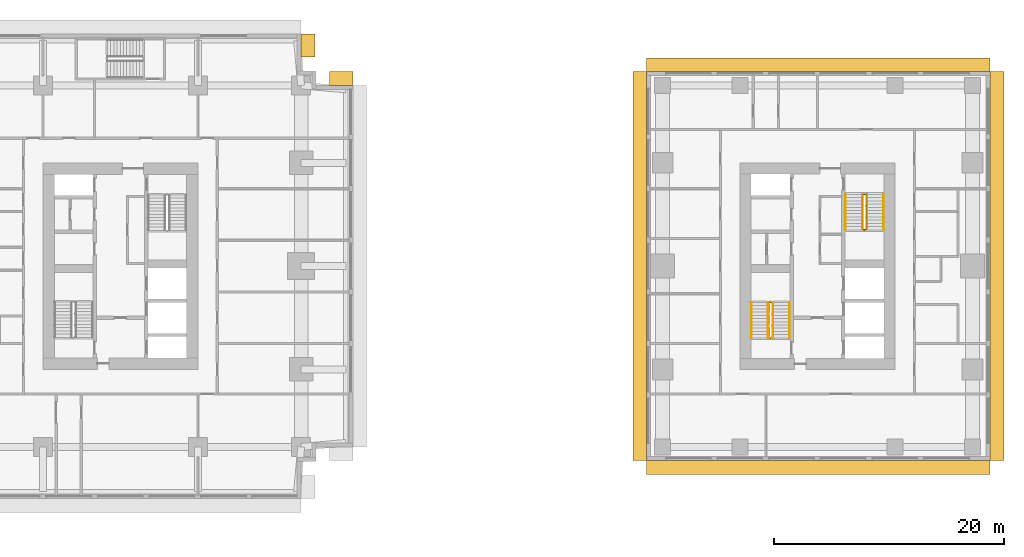
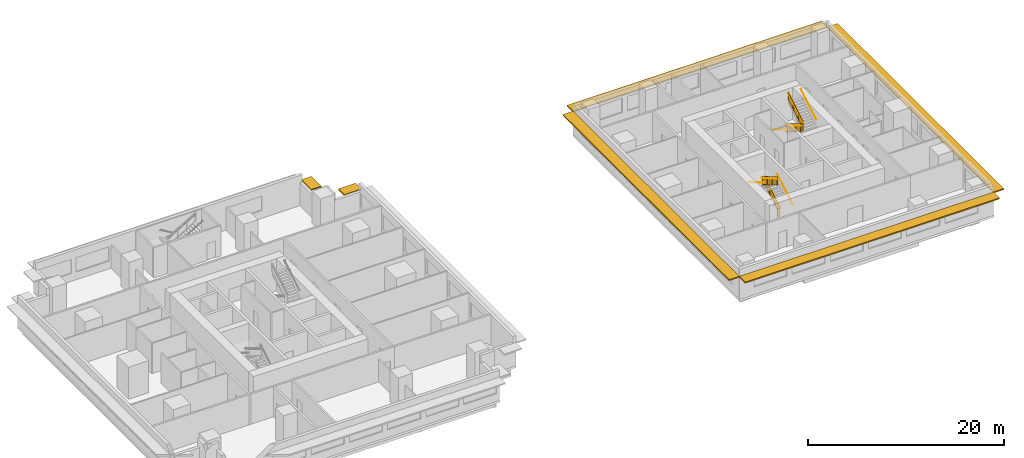
# One storey, part 11 of 11: 10 railings, 6 shading devices.
"""IFC4 building model written with IfcOpenShell, lengths in metres."""

from ifc_helpers import new_model, si_unit, direction, frame, origin, origin_2d, place, context, subcontext, project, spatial, polyline, rectangle, circle, outline, extrude, material, layer, layer_set, type_object, element, save


model = new_model("IFC4")

# Units and contexts
model_context = context("Model", 3, precision=1e-05, world=origin(), true_north=direction((0.0, 1.0)))
body_context = subcontext(model_context, "Body", "Model", "MODEL_VIEW")
ifc_project = project(units=[si_unit("LENGTHUNIT", "METRE"), si_unit("AREAUNIT", "SQUARE_METRE"), si_unit("VOLUMEUNIT", "CUBIC_METRE"), si_unit("PLANEANGLEUNIT", "RADIAN"), si_unit("MASSUNIT", "GRAM", prefix="KILO")], contexts=[model_context])

# Site, building, storey
site_placement = place(None, origin())
site = spatial("IfcSite", under=ifc_project, at=site_placement, CompositionType="ELEMENT")
building_placement = place(site_placement, origin())
building = spatial("IfcBuilding", under=site, at=building_placement, Name="Namib Vertical Campus", CompositionType="ELEMENT")
storey_placement = place(building_placement, frame((0.0, 0.0, 177.0)))
storey = spatial("IfcBuildingStorey", under=building, at=storey_placement, Name="L41", CompositionType="ELEMENT", Elevation=177.0)

# Railings
ifc_material_1 = material(Name="Steel handrail", Category="steel")
railing_type_1 = type_object("IfcRailingType", Name="Handrail 900", PredefinedType="HANDRAIL", material=ifc_material_1)
railing_1_placement = place(storey_placement, frame((78.550048828125, 14.0, 0.166748046875)))
element("IfcRailing", 1, at=railing_1_placement, inside=storey, type_object=railing_type_1, Name="Handrail HR1 B-S1 L41 1", PredefinedType="HANDRAIL", context=body_context, shape_type="SweptSolid", body=[
    extrude(circle(Radius=0.02392578125, at=origin_2d()), frame((0.0, 0.0, 0.8759765625), z_axis=(0.0, 0.859308565015, 0.511457515432), x_axis=(-1.0, 0.0, 0.0)), (0.0, 0.0, 1.0), 3.58447265625),
    extrude(circle(Radius=0.008056640625, at=origin_2d()), frame((0.0, 0.0, 0.8759765625), z_axis=(1.0, 0.0, 0.0), x_axis=(0.0, 0.0, 1.0)), (0.0, 0.0, 1.0), 0.050048828125),
    extrude(circle(Radius=0.008056640625, at=origin_2d()), frame((0.0, 1.026611328125, 1.48681640625), z_axis=(1.0, 0.0, 0.0), x_axis=(0.0, 0.0, 1.0)), (0.0, 0.0, 1.0), 0.050048828125),
    extrude(circle(Radius=0.008056640625, at=origin_2d()), frame((0.0, 2.053466796875, 2.09814453125), z_axis=(1.0, 0.0, 0.0), x_axis=(0.0, 0.0, 1.0)), (0.0, 0.0, 1.0), 0.050048828125),
    extrude(circle(Radius=0.008056640625, at=origin_2d()), frame((0.0, 3.080078125, 2.708984375), z_axis=(1.0, 0.0, 0.0), x_axis=(0.0, 0.0, 1.0)), (0.0, 0.0, 1.0), 0.050048828125),
])
railing_2_placement = place(storey_placement, frame((75.25, 17.080078125, 2.166748046875)))
element("IfcRailing", 2, at=railing_2_placement, inside=storey, type_object=railing_type_1, Name="Handrail HR1 B-S1 L41 2", PredefinedType="HANDRAIL", context=body_context, shape_type="SweptSolid", body=[
    extrude(circle(Radius=0.02392578125, at=origin_2d()), frame((0.0, 0.0, 0.8759765625), z_axis=(0.0, -0.859308565015, 0.511457515432), x_axis=(1.0, 0.0, 0.0)), (0.0, 0.0, 1.0), 3.58447265625),
    extrude(circle(Radius=0.008056640625, at=origin_2d()), frame((0.0, 0.0, 0.8759765625), z_axis=(-1.0, 0.0, 0.0), x_axis=(0.0, 0.0, 1.0)), (0.0, 0.0, 1.0), 0.050048828125),
    extrude(circle(Radius=0.008056640625, at=origin_2d()), frame((0.0, -1.026611328125, 1.48681640625), z_axis=(-1.0, 0.0, 0.0), x_axis=(0.0, 0.0, 1.0)), (0.0, 0.0, 1.0), 0.050048828125),
    extrude(circle(Radius=0.008056640625, at=origin_2d()), frame((0.0, -2.053466796875, 2.09814453125), z_axis=(-1.0, 0.0, 0.0), x_axis=(0.0, 0.0, 1.0)), (0.0, 0.0, 1.0), 0.050048828125),
    extrude(circle(Radius=0.008056640625, at=origin_2d()), frame((0.0, -3.080078125, 2.708984375), z_axis=(-1.0, 0.0, 0.0), x_axis=(0.0, 0.0, 1.0)), (0.0, 0.0, 1.0), 0.050048828125),
])
railing_3_placement = place(storey_placement, frame((77.10009765625, 14.0, 0.166748046875)))
element("IfcRailing", 3, at=railing_3_placement, inside=storey, type_object=railing_type_1, Name="Handrail HR1 B-S1 L41 1 at the well", PredefinedType="HANDRAIL", context=body_context, shape_type="SweptSolid", body=[
    extrude(circle(Radius=0.02392578125, at=origin_2d()), frame((0.0, 0.0, 0.8759765625), z_axis=(0.0, 0.859308565015, 0.511457515432), x_axis=(-1.0, 0.0, 0.0)), (0.0, 0.0, 1.0), 3.58447265625),
    extrude(circle(Radius=0.008056640625, at=origin_2d()), frame((0.0, 0.0, 0.8759765625), z_axis=(-1.0, 0.0, 0.0), x_axis=(0.0, 0.0, 1.0)), (0.0, 0.0, 1.0), 0.0400390625),
    extrude(circle(Radius=0.008056640625, at=origin_2d()), frame((0.0, 1.026611328125, 1.48681640625), z_axis=(-1.0, 0.0, 0.0), x_axis=(0.0, 0.0, 1.0)), (0.0, 0.0, 1.0), 0.0400390625),
    extrude(circle(Radius=0.008056640625, at=origin_2d()), frame((0.0, 2.053466796875, 2.09814453125), z_axis=(-1.0, 0.0, 0.0), x_axis=(0.0, 0.0, 1.0)), (0.0, 0.0, 1.0), 0.0400390625),
    extrude(circle(Radius=0.008056640625, at=origin_2d()), frame((0.0, 3.080078125, 2.708984375), z_axis=(-1.0, 0.0, 0.0), x_axis=(0.0, 0.0, 1.0)), (0.0, 0.0, 1.0), 0.0400390625),
])
railing_4_placement = place(storey_placement, frame((76.699951171875, 17.080078125, 2.166748046875)))
element("IfcRailing", 4, at=railing_4_placement, inside=storey, type_object=railing_type_1, Name="Handrail HR1 B-S1 L41 2 at the well", PredefinedType="HANDRAIL", context=body_context, shape_type="SweptSolid", body=[
    extrude(circle(Radius=0.02392578125, at=origin_2d()), frame((0.0, 0.0, 0.8759765625), z_axis=(0.0, -0.859308565015, 0.511457515432), x_axis=(1.0, 0.0, 0.0)), (0.0, 0.0, 1.0), 3.58447265625),
    extrude(circle(Radius=0.008056640625, at=origin_2d()), frame((0.0, 0.0, 0.8759765625), z_axis=(1.0, 0.0, 0.0), x_axis=(0.0, 0.0, 1.0)), (0.0, 0.0, 1.0), 0.0400390625),
    extrude(circle(Radius=0.008056640625, at=origin_2d()), frame((0.0, -1.026611328125, 1.48681640625), z_axis=(1.0, 0.0, 0.0), x_axis=(0.0, 0.0, 1.0)), (0.0, 0.0, 1.0), 0.0400390625),
    extrude(circle(Radius=0.008056640625, at=origin_2d()), frame((0.0, -2.053466796875, 2.09814453125), z_axis=(1.0, 0.0, 0.0), x_axis=(0.0, 0.0, 1.0)), (0.0, 0.0, 1.0), 0.0400390625),
    extrude(circle(Radius=0.008056640625, at=origin_2d()), frame((0.0, -3.080078125, 2.708984375), z_axis=(1.0, 0.0, 0.0), x_axis=(0.0, 0.0, 1.0)), (0.0, 0.0, 1.0), 0.0400390625),
])
railing_5_placement = place(storey_placement, frame((83.449951171875, 26.5, 0.166748046875)))
element("IfcRailing", 5, at=railing_5_placement, inside=storey, type_object=railing_type_1, Name="Handrail HR1 B-S2 L41 1", PredefinedType="HANDRAIL", context=body_context, shape_type="SweptSolid", body=[
    extrude(circle(Radius=0.02392578125, at=origin_2d()), frame((0.0, 0.0, 0.8759765625), z_axis=(0.0, -0.859308565015, 0.511457515432), x_axis=(1.0, 0.0, 0.0)), (0.0, 0.0, 1.0), 3.58447265625),
    extrude(circle(Radius=0.008056640625, at=origin_2d()), frame((0.0, 0.0, 0.8759765625), z_axis=(-1.0, 0.0, 0.0), x_axis=(0.0, 0.0, 1.0)), (0.0, 0.0, 1.0), 0.050048828125),
    extrude(circle(Radius=0.008056640625, at=origin_2d()), frame((0.0, -1.026611328125, 1.48681640625), z_axis=(-1.0, 0.0, 0.0), x_axis=(0.0, 0.0, 1.0)), (0.0, 0.0, 1.0), 0.050048828125),
    extrude(circle(Radius=0.008056640625, at=origin_2d()), frame((0.0, -2.053466796875, 2.09814453125), z_axis=(-1.0, 0.0, 0.0), x_axis=(0.0, 0.0, 1.0)), (0.0, 0.0, 1.0), 0.050048828125),
    extrude(circle(Radius=0.008056640625, at=origin_2d()), frame((0.0, -3.080078125, 2.708984375), z_axis=(-1.0, 0.0, 0.0), x_axis=(0.0, 0.0, 1.0)), (0.0, 0.0, 1.0), 0.050048828125),
])
railing_6_placement = place(storey_placement, frame((86.75, 23.419921875, 2.166748046875)))
element("IfcRailing", 6, at=railing_6_placement, inside=storey, type_object=railing_type_1, Name="Handrail HR1 B-S2 L41 2", PredefinedType="HANDRAIL", context=body_context, shape_type="SweptSolid", body=[
    extrude(circle(Radius=0.02392578125, at=origin_2d()), frame((0.0, 0.0, 0.8759765625), z_axis=(0.0, 0.859308565015, 0.511457515432), x_axis=(-1.0, 0.0, 0.0)), (0.0, 0.0, 1.0), 3.58447265625),
    extrude(circle(Radius=0.008056640625, at=origin_2d()), frame((0.0, 0.0, 0.8759765625), z_axis=(1.0, 0.0, 0.0), x_axis=(0.0, 0.0, 1.0)), (0.0, 0.0, 1.0), 0.050048828125),
    extrude(circle(Radius=0.008056640625, at=origin_2d()), frame((0.0, 1.026611328125, 1.48681640625), z_axis=(1.0, 0.0, 0.0), x_axis=(0.0, 0.0, 1.0)), (0.0, 0.0, 1.0), 0.050048828125),
    extrude(circle(Radius=0.008056640625, at=origin_2d()), frame((0.0, 2.053466796875, 2.09814453125), z_axis=(1.0, 0.0, 0.0), x_axis=(0.0, 0.0, 1.0)), (0.0, 0.0, 1.0), 0.050048828125),
    extrude(circle(Radius=0.008056640625, at=origin_2d()), frame((0.0, 3.080078125, 2.708984375), z_axis=(1.0, 0.0, 0.0), x_axis=(0.0, 0.0, 1.0)), (0.0, 0.0, 1.0), 0.050048828125),
])
railing_7_placement = place(storey_placement, frame((84.89990234375, 26.5, 0.166748046875)))
element("IfcRailing", 7, at=railing_7_placement, inside=storey, type_object=railing_type_1, Name="Handrail HR1 B-S2 L41 1 at the well", PredefinedType="HANDRAIL", context=body_context, shape_type="SweptSolid", body=[
    extrude(circle(Radius=0.02392578125, at=origin_2d()), frame((0.0, 0.0, 0.8759765625), z_axis=(0.0, -0.859308565015, 0.511457515432), x_axis=(1.0, 0.0, 0.0)), (0.0, 0.0, 1.0), 3.58447265625),
    extrude(circle(Radius=0.008056640625, at=origin_2d()), frame((0.0, 0.0, 0.8759765625), z_axis=(1.0, 0.0, 0.0), x_axis=(0.0, 0.0, 1.0)), (0.0, 0.0, 1.0), 0.0400390625),
    extrude(circle(Radius=0.008056640625, at=origin_2d()), frame((0.0, -1.026611328125, 1.48681640625), z_axis=(1.0, 0.0, 0.0), x_axis=(0.0, 0.0, 1.0)), (0.0, 0.0, 1.0), 0.0400390625),
    extrude(circle(Radius=0.008056640625, at=origin_2d()), frame((0.0, -2.053466796875, 2.09814453125), z_axis=(1.0, 0.0, 0.0), x_axis=(0.0, 0.0, 1.0)), (0.0, 0.0, 1.0), 0.0400390625),
    extrude(circle(Radius=0.008056640625, at=origin_2d()), frame((0.0, -3.080078125, 2.708984375), z_axis=(1.0, 0.0, 0.0), x_axis=(0.0, 0.0, 1.0)), (0.0, 0.0, 1.0), 0.0400390625),
])
railing_8_placement = place(storey_placement, frame((85.300048828125, 23.419921875, 2.166748046875)))
element("IfcRailing", 8, at=railing_8_placement, inside=storey, type_object=railing_type_1, Name="Handrail HR1 B-S2 L41 2 at the well", PredefinedType="HANDRAIL", context=body_context, shape_type="SweptSolid", body=[
    extrude(circle(Radius=0.02392578125, at=origin_2d()), frame((0.0, 0.0, 0.8759765625), z_axis=(0.0, 0.859308565015, 0.511457515432), x_axis=(-1.0, 0.0, 0.0)), (0.0, 0.0, 1.0), 3.58447265625),
    extrude(circle(Radius=0.008056640625, at=origin_2d()), frame((0.0, 0.0, 0.8759765625), z_axis=(-1.0, 0.0, 0.0), x_axis=(0.0, 0.0, 1.0)), (0.0, 0.0, 1.0), 0.0400390625),
    extrude(circle(Radius=0.008056640625, at=origin_2d()), frame((0.0, 1.026611328125, 1.48681640625), z_axis=(-1.0, 0.0, 0.0), x_axis=(0.0, 0.0, 1.0)), (0.0, 0.0, 1.0), 0.0400390625),
    extrude(circle(Radius=0.008056640625, at=origin_2d()), frame((0.0, 2.053466796875, 2.09814453125), z_axis=(-1.0, 0.0, 0.0), x_axis=(0.0, 0.0, 1.0)), (0.0, 0.0, 1.0), 0.0400390625),
    extrude(circle(Radius=0.008056640625, at=origin_2d()), frame((0.0, 3.080078125, 2.708984375), z_axis=(-1.0, 0.0, 0.0), x_axis=(0.0, 0.0, 1.0)), (0.0, 0.0, 1.0), 0.0400390625),
])
ifc_material_2 = material(Name="Steel balustrade", Category="steel")
railing_type_2 = type_object("IfcRailingType", Name="Stair guard 1100", PredefinedType="GUARDRAIL", material=ifc_material_2)
railing_9_placement = place(storey_placement, frame((76.75, 14.0, 0.0)))
element("IfcRailing", 9, at=railing_9_placement, inside=storey, type_object=railing_type_2, Name="Stair guard GR1 B-S1 L41", PredefinedType="GUARDRAIL", context=body_context, shape_type="SweptSolid", body=[
    extrude(circle(Radius=0.02392578125, at=origin_2d()), frame((0.0, 0.0, 1.076171875), z_axis=(1.0, 0.0, 0.0), x_axis=(0.0, 1.0, 0.0)), (0.0, 0.0, 1.0), 0.300048828125),
    extrude(outline(polyline([(0.02099609375, 0.050048828125), (0.279052734375, 0.050048828125), (0.279052734375, 1.052001953125), (0.02099609375, 1.052001953125), (0.02099609375, 0.050048828125)])), frame((0.0, 0.010009765625, 0.0), z_axis=(0.0, -1.0, 0.0), x_axis=(1.0, 0.0, 0.0)), (0.0, 0.0, 1.0), 0.02001953125),
    extrude(circle(Radius=0.02392578125, at=origin_2d()), frame((0.300048828125, 0.0, 1.076171875), z_axis=(0.0, 0.0, 1.0), x_axis=(1.0, 0.0, 0.0)), (0.0, 0.0, 1.0), 0.166748046875),
    extrude(circle(Radius=0.02392578125, at=origin_2d()), frame((0.300048828125, 0.0, 1.24267578125), z_axis=(0.0, 0.859308565015, 0.511457515432), x_axis=(-1.0, 0.0, 0.0)), (0.0, 0.0, 1.0), 3.58447265625),
    extrude(outline(polyline([(0.02099609375, 0.0625), (3.05908203125, 1.870849609375), (3.05908203125, 2.872802734375), (0.02099609375, 1.064453125), (0.02099609375, 0.0625)])), frame((0.2900390625, 0.0, 0.166748046875), z_axis=(1.0, 0.0, 0.0), x_axis=(0.0, 1.0, 0.0)), (0.0, 0.0, 1.0), 0.02001953125),
    extrude(circle(Radius=0.02392578125, at=origin_2d()), frame((0.300048828125, 3.080078125, 3.076171875), z_axis=(-1.0, 0.0, 0.0), x_axis=(0.0, -1.0, 0.0)), (0.0, 0.0, 1.0), 0.300048828125),
    extrude(outline(polyline([(0.02099609375, 0.050048828125), (0.279052734375, 0.050048828125), (0.279052734375, 1.052001953125), (0.02099609375, 1.052001953125), (0.02099609375, 0.050048828125)])), frame((0.300048828125, 3.070068359375, 2.0), z_axis=(0.0, 1.0, 0.0), x_axis=(-1.0, 0.0, 0.0)), (0.0, 0.0, 1.0), 0.02001953125),
    extrude(circle(Radius=0.02392578125, at=origin_2d()), frame((0.0, 3.080078125, 3.076171875), z_axis=(0.0, 0.0, 1.0), x_axis=(1.0, 0.0, 0.0)), (0.0, 0.0, 1.0), 0.166748046875),
    extrude(circle(Radius=0.02392578125, at=origin_2d()), frame((0.0, 3.080078125, 3.24267578125), z_axis=(0.0, -0.859308565015, 0.511457515432), x_axis=(1.0, 0.0, 0.0)), (0.0, 0.0, 1.0), 3.58447265625),
    extrude(outline(polyline([(0.02099609375, 0.0625), (3.05908203125, 1.870849609375), (3.05908203125, 2.872802734375), (0.02099609375, 1.064453125), (0.02099609375, 0.0625)])), frame((0.010009765625, 3.080078125, 2.166748046875), z_axis=(-1.0, 0.0, 0.0), x_axis=(0.0, -1.0, 0.0)), (0.0, 0.0, 1.0), 0.02001953125),
    extrude(circle(Radius=0.02392578125, at=origin_2d()), frame((0.0, 0.0, 5.076171875), z_axis=(0.0, -1.0, 0.0), x_axis=(1.0, 0.0, 0.0)), (0.0, 0.0, 1.0), 0.050048828125),
    extrude(outline(polyline([(0.02099609375, 0.050048828125), (0.029052734375, 0.050048828125), (0.029052734375, 1.052001953125), (0.02099609375, 1.052001953125), (0.02099609375, 0.050048828125)])), frame((0.010009765625, 0.0, 4.0), z_axis=(-1.0, 0.0, 0.0), x_axis=(0.0, -1.0, 0.0)), (0.0, 0.0, 1.0), 0.02001953125),
    extrude(circle(Radius=0.02099609375, at=origin_2d()), origin(), (0.0, 0.0, 1.0), 1.052001953125),
    extrude(circle(Radius=0.02099609375, at=origin_2d()), frame((0.300048828125, 0.0, 0.166748046875)), (0.0, 0.0, 1.0), 1.052001953125),
    extrude(circle(Radius=0.02099609375, at=origin_2d()), frame((0.300048828125, 1.026611328125, 0.666748046875)), (0.0, 0.0, 1.0), 1.1630859375),
    extrude(circle(Radius=0.02099609375, at=origin_2d()), frame((0.300048828125, 2.053466796875, 1.33349609375)), (0.0, 0.0, 1.0), 1.107421875),
    extrude(circle(Radius=0.02099609375, at=origin_2d()), frame((0.300048828125, 3.080078125, 2.0)), (0.0, 0.0, 1.0), 1.052001953125),
    extrude(circle(Radius=0.02099609375, at=origin_2d()), frame((0.0, 3.080078125, 2.166748046875)), (0.0, 0.0, 1.0), 1.052001953125),
    extrude(circle(Radius=0.02099609375, at=origin_2d()), frame((0.0, 2.053466796875, 2.666748046875)), (0.0, 0.0, 1.0), 1.1630859375),
    extrude(circle(Radius=0.02099609375, at=origin_2d()), frame((0.0, 1.026611328125, 3.33349609375)), (0.0, 0.0, 1.0), 1.107421875),
    extrude(circle(Radius=0.02099609375, at=origin_2d()), frame((0.0, 0.0, 4.0)), (0.0, 0.0, 1.0), 1.052001953125),
    extrude(circle(Radius=0.02099609375, at=origin_2d()), frame((0.0, -0.050048828125, 4.0)), (0.0, 0.0, 1.0), 1.052001953125),
])
railing_10_placement = place(storey_placement, frame((85.25, 26.5, 0.0)))
element("IfcRailing", 10, at=railing_10_placement, inside=storey, type_object=railing_type_2, Name="Stair guard GR1 B-S2 L41", PredefinedType="GUARDRAIL", context=body_context, shape_type="SweptSolid", body=[
    extrude(circle(Radius=0.02392578125, at=origin_2d()), frame((0.0, 0.0, 1.076171875), z_axis=(-1.0, 0.0, 0.0), x_axis=(0.0, -1.0, 0.0)), (0.0, 0.0, 1.0), 0.300048828125),
    extrude(outline(polyline([(0.02099609375, 0.050048828125), (0.279052734375, 0.050048828125), (0.279052734375, 1.052001953125), (0.02099609375, 1.052001953125), (0.02099609375, 0.050048828125)])), frame((0.0, -0.010009765625, 0.0), z_axis=(0.0, 1.0, 0.0), x_axis=(-1.0, 0.0, 0.0)), (0.0, 0.0, 1.0), 0.02001953125),
    extrude(circle(Radius=0.02392578125, at=origin_2d()), frame((-0.300048828125, 0.0, 1.076171875), z_axis=(0.0, 0.0, 1.0), x_axis=(1.0, 0.0, 0.0)), (0.0, 0.0, 1.0), 0.166748046875),
    extrude(circle(Radius=0.02392578125, at=origin_2d()), frame((-0.300048828125, 0.0, 1.24267578125), z_axis=(0.0, -0.859308565015, 0.511457515432), x_axis=(1.0, 0.0, 0.0)), (0.0, 0.0, 1.0), 3.58447265625),
    extrude(outline(polyline([(0.02099609375, 0.0625), (3.05908203125, 1.870849609375), (3.05908203125, 2.872802734375), (0.02099609375, 1.064453125), (0.02099609375, 0.0625)])), frame((-0.2900390625, 0.0, 0.166748046875), z_axis=(-1.0, 0.0, 0.0), x_axis=(0.0, -1.0, 0.0)), (0.0, 0.0, 1.0), 0.02001953125),
    extrude(circle(Radius=0.02392578125, at=origin_2d()), frame((-0.300048828125, -3.080078125, 3.076171875), z_axis=(1.0, 0.0, 0.0), x_axis=(0.0, 1.0, 0.0)), (0.0, 0.0, 1.0), 0.300048828125),
    extrude(outline(polyline([(0.02099609375, 0.050048828125), (0.279052734375, 0.050048828125), (0.279052734375, 1.052001953125), (0.02099609375, 1.052001953125), (0.02099609375, 0.050048828125)])), frame((-0.300048828125, -3.070068359375, 2.0), z_axis=(0.0, -1.0, 0.0), x_axis=(1.0, 0.0, 0.0)), (0.0, 0.0, 1.0), 0.02001953125),
    extrude(circle(Radius=0.02392578125, at=origin_2d()), frame((0.0, -3.080078125, 3.076171875), z_axis=(0.0, 0.0, 1.0), x_axis=(1.0, 0.0, 0.0)), (0.0, 0.0, 1.0), 0.166748046875),
    extrude(circle(Radius=0.02392578125, at=origin_2d()), frame((0.0, -3.080078125, 3.24267578125), z_axis=(0.0, 0.859308565015, 0.511457515432), x_axis=(-1.0, 0.0, 0.0)), (0.0, 0.0, 1.0), 3.58447265625),
    extrude(outline(polyline([(0.02099609375, 0.0625), (3.05908203125, 1.870849609375), (3.05908203125, 2.872802734375), (0.02099609375, 1.064453125), (0.02099609375, 0.0625)])), frame((-0.010009765625, -3.080078125, 2.166748046875), z_axis=(1.0, 0.0, 0.0), x_axis=(0.0, 1.0, 0.0)), (0.0, 0.0, 1.0), 0.02001953125),
    extrude(circle(Radius=0.02392578125, at=origin_2d()), frame((0.0, 0.0, 5.076171875), z_axis=(0.0, 1.0, 0.0), x_axis=(-1.0, 0.0, 0.0)), (0.0, 0.0, 1.0), 0.050048828125),
    extrude(outline(polyline([(0.02099609375, 0.050048828125), (0.029052734375, 0.050048828125), (0.029052734375, 1.052001953125), (0.02099609375, 1.052001953125), (0.02099609375, 0.050048828125)])), frame((-0.010009765625, 0.0, 4.0), z_axis=(1.0, 0.0, 0.0), x_axis=(0.0, 1.0, 0.0)), (0.0, 0.0, 1.0), 0.02001953125),
    extrude(circle(Radius=0.02099609375, at=origin_2d()), origin(), (0.0, 0.0, 1.0), 1.052001953125),
    extrude(circle(Radius=0.02099609375, at=origin_2d()), frame((-0.300048828125, 0.0, 0.166748046875)), (0.0, 0.0, 1.0), 1.052001953125),
    extrude(circle(Radius=0.02099609375, at=origin_2d()), frame((-0.300048828125, -1.026611328125, 0.666748046875)), (0.0, 0.0, 1.0), 1.1630859375),
    extrude(circle(Radius=0.02099609375, at=origin_2d()), frame((-0.300048828125, -2.053466796875, 1.33349609375)), (0.0, 0.0, 1.0), 1.107421875),
    extrude(circle(Radius=0.02099609375, at=origin_2d()), frame((-0.300048828125, -3.080078125, 2.0)), (0.0, 0.0, 1.0), 1.052001953125),
    extrude(circle(Radius=0.02099609375, at=origin_2d()), frame((0.0, -3.080078125, 2.166748046875)), (0.0, 0.0, 1.0), 1.052001953125),
    extrude(circle(Radius=0.02099609375, at=origin_2d()), frame((0.0, -2.053466796875, 2.666748046875)), (0.0, 0.0, 1.0), 1.1630859375),
    extrude(circle(Radius=0.02099609375, at=origin_2d()), frame((0.0, -1.026611328125, 3.33349609375)), (0.0, 0.0, 1.0), 1.107421875),
    extrude(circle(Radius=0.02099609375, at=origin_2d()), frame((0.0, 0.0, 4.0)), (0.0, 0.0, 1.0), 1.052001953125),
    extrude(circle(Radius=0.02099609375, at=origin_2d()), frame((0.0, 0.050048828125, 4.0)), (0.0, 0.0, 1.0), 1.052001953125),
])

# Shading devices
ifc_material_3 = material(Name="Concrete C40/50 precast", Category="concrete")
ifc_layer = layer(ifc_material_3, 0.14990234375)
ifc_layer_set = layer_set([ifc_layer], Name="Concrete C40/50 precast")
shading_device_type = type_object("IfcShadingDeviceType", Name="Sunshade hood 1200", PredefinedType="SHUTTER", material=ifc_layer_set)
for number, where, z_axis, x_axis, name in (
    (11, (39.487548828125, 36.60009765625, 2.75), (0.0, 0.0, 1.0), (-1.0, 0.0, 0.0), "Sunshade SH2 L41 7"),
    (12, (36.60009765625, 39.487548828125, 2.75), (0.0, 0.0, 1.0), (0.0, 1.0, 0.0), "Sunshade SH2 L41 10"),
):
    element("IfcShadingDevice", number, at=place(storey_placement, frame(where, z_axis=z_axis, x_axis=x_axis)), inside=storey, type_object=shading_device_type, Name=name, PredefinedType="SHUTTER", context=body_context, shape_type="SweptSolid", body=[
        extrude(rectangle(XDim=2.02490234375, YDim=1.199951171875, at=origin_2d()), origin(), (0.0, 0.0, 1.0), 0.14990234375),
    ])
shading_device_1_placement = place(storey_placement, frame((81.074951171875, 2.699951171875, 2.75), z_axis=(0.0, 0.0, 1.0), x_axis=(1.0, 0.0, 0.0)))
element("IfcShadingDevice", 13, at=shading_device_1_placement, inside=storey, type_object=shading_device_type, Name="Sunshade SH2 L41 1", PredefinedType="SHUTTER", context=body_context, shape_type="SweptSolid", body=[
    extrude(rectangle(XDim=29.949951171875, YDim=1.199951171875, at=origin_2d()), origin(), (0.0, 0.0, 1.0), 0.14990234375),
])
shading_device_2_placement = place(storey_placement, frame((96.64990234375, 20.25, 2.75), z_axis=(0.0, 0.0, 1.0), x_axis=(0.0, 1.0, 0.0)))
element("IfcShadingDevice", 14, at=shading_device_2_placement, inside=storey, type_object=shading_device_type, Name="Sunshade SH2 L41 2", PredefinedType="SHUTTER", context=body_context, shape_type="SweptSolid", body=[
    extrude(rectangle(XDim=33.89990234375, YDim=1.199951171875, at=origin_2d()), origin(), (0.0, 0.0, 1.0), 0.14990234375),
])
shading_device_3_placement = place(storey_placement, frame((81.074951171875, 37.800048828125, 2.75), z_axis=(0.0, 0.0, 1.0), x_axis=(-1.0, 0.0, 0.0)))
element("IfcShadingDevice", 15, at=shading_device_3_placement, inside=storey, type_object=shading_device_type, Name="Sunshade SH2 L41 3", PredefinedType="SHUTTER", context=body_context, shape_type="SweptSolid", body=[
    extrude(rectangle(XDim=29.949951171875, YDim=1.199951171875, at=origin_2d()), origin(), (0.0, 0.0, 1.0), 0.14990234375),
])
shading_device_4_placement = place(storey_placement, frame((65.5, 20.25, 2.75), z_axis=(0.0, 0.0, 1.0), x_axis=(0.0, -1.0, 0.0)))
element("IfcShadingDevice", 16, at=shading_device_4_placement, inside=storey, type_object=shading_device_type, Name="Sunshade SH2 L41 4", PredefinedType="SHUTTER", context=body_context, shape_type="SweptSolid", body=[
    extrude(rectangle(XDim=33.89990234375, YDim=1.199951171875, at=origin_2d()), origin(), (0.0, 0.0, 1.0), 0.14990234375),
])

save(model, "model.ifc")
